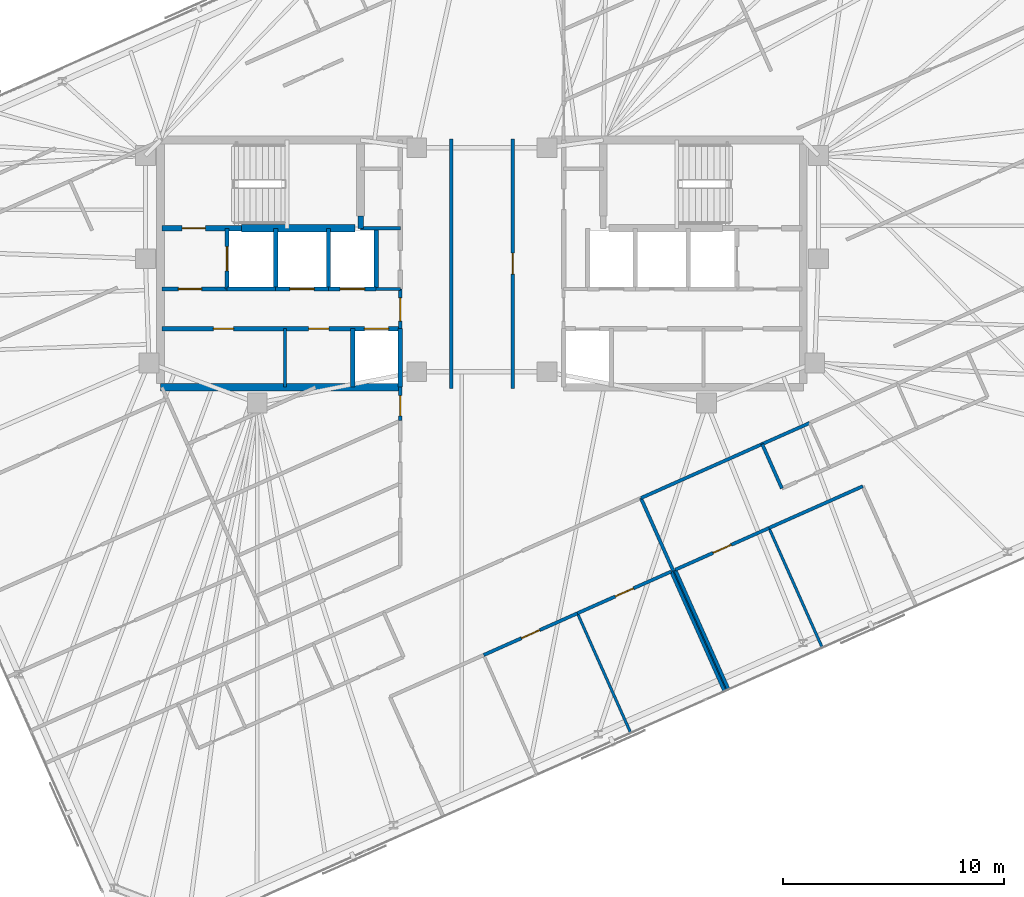
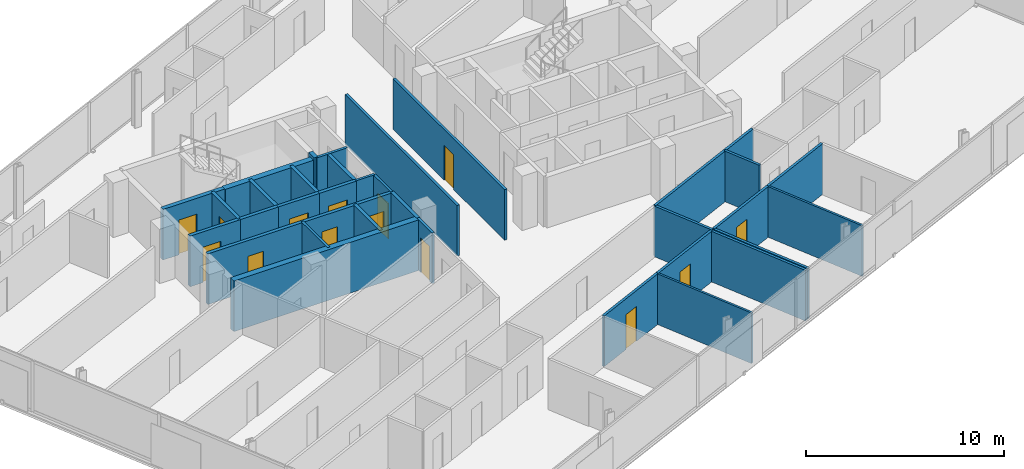
# One storey, part 14 of 19: 34 walls, 14 doors, 14 openings.
"""IFC4 building model written with IfcOpenShell, lengths in metres."""

from ifc_helpers import new_model, si_unit, direction, frame, frame_2d, origin, place, context, subcontext, project, spatial, rectangle, extrude, material, layer, layer_set, type_object, element, fill, save


model = new_model("IFC4")

# Units and contexts
model_context = context("Model", 3, precision=1e-05, world=origin(), true_north=direction((0.0, 1.0)))
body_context = subcontext(model_context, "Body", "Model", "MODEL_VIEW")
ifc_project = project(units=[si_unit("LENGTHUNIT", "METRE"), si_unit("AREAUNIT", "SQUARE_METRE"), si_unit("VOLUMEUNIT", "CUBIC_METRE"), si_unit("PLANEANGLEUNIT", "RADIAN"), si_unit("MASSUNIT", "GRAM", prefix="KILO")], contexts=[model_context])

# Site, building, storey
site_placement = place(None, origin())
site = spatial("IfcSite", under=ifc_project, at=site_placement, CompositionType="ELEMENT")
building_placement = place(site_placement, origin())
building = spatial("IfcBuilding", under=site, at=building_placement, Name="Menara Jurai Vektor", CompositionType="ELEMENT")
storey_placement = place(building_placement, frame((0.0, 0.0, 281.89990234375)))
storey = spatial("IfcBuildingStorey", under=building, at=storey_placement, Name="L75", CompositionType="ELEMENT", Elevation=281.89990234375)

# Wall, opening, door
ifc_material_1 = material(Name="Concrete C40/50", Category="concrete")
ifc_layer_1 = layer(ifc_material_1, 0.25)
ifc_layer_set_1 = layer_set([ifc_layer_1], Name="Concrete C40/50")
wall_type_1 = type_object("IfcWallType", Name="INT-WALL-CORE-250", PredefinedType="STANDARD", material=ifc_layer_set_1)
wall_1_placement = place(storey_placement, frame((-14.5, 1.60009765625, 0.0), z_axis=(0.0, 0.0, 1.0), x_axis=(1.0, 0.0, 0.0)))
wall_1 = element("IfcWall", 1, at=wall_1_placement, inside=storey, type_object=wall_type_1, Name="Interior Wall IW-250 L75", PredefinedType="STANDARD", context=body_context, shape_type="SweptSolid", body=[
    extrude(rectangle(XDim=3.60009765625, YDim=0.25, at=frame_2d((1.800048828125, 0.0))), origin(), (0.0, 0.0, 1.0), 3.125),
])
opening_1_placement = place(wall_1_placement, frame((0.919921875, 0.0, 0.0)))
opening_1 = element("IfcOpeningElement", 2, at=opening_1_placement, cuts=wall_1, Name="Opening D-L75-ST1", PredefinedType="OPENING", context=body_context, shape_type="SweptSolid", body=[
    extrude(rectangle(XDim=1.050048828125, YDim=2.14990234375, at=frame_2d((0.52490234375, 1.074951171875))), frame((0.0, 0.135009765625, 0.0), z_axis=(0.0, -1.0, 0.0), x_axis=(1.0, 0.0, 0.0)), (0.0, 0.0, 1.0), 0.27001953125),
])
ifc_material_2 = material(Name="Fire-Rated Steel Door", Category="steel")
door_type_1 = type_object("IfcDoorType", Name="DR-STAIR-1050", OperationType="NOTDEFINED", PredefinedType="DOOR", material=ifc_material_2)
door_1_placement = place(opening_1_placement, origin())
door_1 = element("IfcDoor", 3, at=door_1_placement, inside=storey, type_object=door_type_1, Name="Exit Stair ST1 Door L75", OperationType="SINGLE_SWING_RIGHT", OverallHeight=2.14990234375, OverallWidth=1.050048828125, PredefinedType="DOOR", context=body_context, shape_type="SweptSolid", body=[
    extrude(rectangle(XDim=1.050048828125, YDim=2.14990234375, at=frame_2d((0.52490234375, 1.074951171875))), frame((0.0, 0.02490234375, 0.0), z_axis=(0.0, -1.0, 0.0), x_axis=(1.0, 0.0, 0.0)), (0.0, 0.0, 1.0), 0.050048828125),
])
fill(opening_1, door_1)

# Wall
wall_2_placement = place(storey_placement, frame((-5.5, 1.60009765625, 0.0), z_axis=(0.0, 0.0, 1.0), x_axis=(0.0, 1.0, 0.0)))
element("IfcWall", 4, at=wall_2_placement, inside=storey, type_object=wall_type_1, Name="Interior Wall IW-250 L75", PredefinedType="STANDARD", context=body_context, shape_type="SweptSolid", body=[
    extrude(rectangle(XDim=0.5498046875, YDim=0.25, at=frame_2d((0.27490234375, 0.0))), origin(), (0.0, 0.0, 1.0), 3.125),
])

# Wall, opening, door
wall_3_placement = place(storey_placement, frame((-11.550048828125, -1.14990234375, 0.0), z_axis=(0.0, 0.0, 1.0), x_axis=(0.0, 1.0, 0.0)))
wall_3 = element("IfcWall", 5, at=wall_3_placement, inside=storey, type_object=wall_type_1, Name="Interior Wall IW-250 L75", PredefinedType="STANDARD", context=body_context, shape_type="SweptSolid", body=[
    extrude(rectangle(XDim=2.75, YDim=0.199951171875, at=frame_2d((1.375, 0.0))), origin(), (0.0, 0.0, 1.0), 3.125),
])
opening_2_placement = place(wall_3_placement, frame((0.824951171875, 0.0, 0.0)))
opening_2 = element("IfcOpeningElement", 6, at=opening_2_placement, cuts=wall_3, Name="Opening LD-L75-FL1", PredefinedType="OPENING", context=body_context, shape_type="SweptSolid", body=[
    extrude(rectangle(XDim=1.10009765625, YDim=2.14990234375, at=frame_2d((0.550048828125, 1.074951171875))), frame((0.0, 0.10986328125, 0.0), z_axis=(0.0, -1.0, 0.0), x_axis=(1.0, 0.0, 0.0)), (0.0, 0.0, 1.0), 0.219970703125),
])
ifc_material_3 = material(Name="Stainless Steel Sliding Lift Landing Door", Category="steel")
door_type_2 = type_object("IfcDoorType", Name="DR-LIFT-FIRE-1100", OperationType="NOTDEFINED", PredefinedType="DOOR", material=ifc_material_3)
door_2_placement = place(opening_2_placement, origin())
door_2 = element("IfcDoor", 7, at=door_2_placement, inside=storey, type_object=door_type_2, Name="Lift Landing Door FL1 L75", OperationType="SLIDING_TO_RIGHT", OverallHeight=2.14990234375, OverallWidth=1.10009765625, PredefinedType="DOOR", context=body_context, shape_type="SweptSolid", body=[
    extrude(rectangle(XDim=1.10009765625, YDim=2.14990234375, at=frame_2d((0.550048828125, 1.074951171875))), frame((0.0, 0.02490234375, 0.0), z_axis=(0.0, -1.0, 0.0), x_axis=(1.0, 0.0, 0.0)), (0.0, 0.0, 1.0), 0.050048828125),
])
fill(opening_2, door_2)

# Wall
wall_4_placement = place(storey_placement, frame((-9.35009765625, -1.14990234375, 0.0), z_axis=(0.0, 0.0, 1.0), x_axis=(0.0, 1.0, 0.0)))
element("IfcWall", 8, at=wall_4_placement, inside=storey, type_object=wall_type_1, Name="Interior Wall IW-250 L75", PredefinedType="STANDARD", context=body_context, shape_type="SweptSolid", body=[
    extrude(rectangle(XDim=2.75, YDim=0.199951171875, at=frame_2d((1.375, 0.0))), origin(), (0.0, 0.0, 1.0), 3.125),
])

# Wall, opening, door
wall_5_placement = place(storey_placement, frame((-14.5, -1.14990234375, 0.0), z_axis=(0.0, 0.0, 1.0), x_axis=(1.0, 0.0, 0.0)))
wall_5 = element("IfcWall", 9, at=wall_5_placement, inside=storey, type_object=wall_type_1, Name="Interior Wall IW-250 L75", PredefinedType="STANDARD", context=body_context, shape_type="SweptSolid", body=[
    extrude(rectangle(XDim=2.949951171875, YDim=0.199951171875, at=frame_2d((1.47509765625, 0.0))), origin(), (0.0, 0.0, 1.0), 3.125),
])
opening_3_placement = place(wall_5_placement, frame((0.75, 0.0, 0.0)))
opening_3 = element("IfcOpeningElement", 10, at=opening_3_placement, cuts=wall_5, Name="Opening D-L75-FFW", PredefinedType="OPENING", context=body_context, shape_type="SweptSolid", body=[
    extrude(rectangle(XDim=1.050048828125, YDim=2.179931640625, at=frame_2d((0.52490234375, 1.08984375))), frame((0.0, 0.10986328125, 0.0), z_axis=(0.0, -1.0, 0.0), x_axis=(1.0, 0.0, 0.0)), (0.0, 0.0, 1.0), 0.219970703125),
])
ifc_material_4 = material(Name="Fire-Rated Timber Door", Category="wood")
door_type_3 = type_object("IfcDoorType", Name="DR-LOBBY-1050", OperationType="NOTDEFINED", PredefinedType="DOOR", material=ifc_material_4)
door_3_placement = place(opening_3_placement, origin())
door_3 = element("IfcDoor", 11, at=door_3_placement, inside=storey, type_object=door_type_3, Name="Fire Lift Lobby Door W L75", OperationType="SINGLE_SWING_RIGHT", OverallHeight=2.179931640625, OverallWidth=1.050048828125, PredefinedType="DOOR", context=body_context, shape_type="SweptSolid", body=[
    extrude(rectangle(XDim=1.050048828125, YDim=2.179931640625, at=frame_2d((0.52490234375, 1.08984375))), frame((0.0, 0.02490234375, 0.0), z_axis=(0.0, -1.0, 0.0), x_axis=(1.0, 0.0, 0.0)), (0.0, 0.0, 1.0), 0.050048828125),
])
fill(opening_3, door_3)

# Wall
wall_6_placement = place(storey_placement, frame((-11.550048828125, -1.14990234375, 0.0), z_axis=(0.0, 0.0, 1.0), x_axis=(1.0, 0.0, 0.0)))
element("IfcWall", 12, at=wall_6_placement, inside=storey, type_object=wall_type_1, Name="Interior Wall IW-250 L75", PredefinedType="STANDARD", context=body_context, shape_type="SweptSolid", body=[
    extrude(rectangle(XDim=2.199951171875, YDim=0.199951171875, at=frame_2d((1.10009765625, 0.0))), origin(), (0.0, 0.0, 1.0), 3.125),
])

# Wall, opening, door
ifc_material_5 = material(Name="Gypsum Fireboard Partition", Category="gypsum")
ifc_layer_2 = layer(ifc_material_5, 0.14990234375)
ifc_layer_set_2 = layer_set([ifc_layer_2], Name="Gypsum Fireboard Partition")
wall_type_2 = type_object("IfcWallType", Name="INT-WALL-CORR-150", PredefinedType="PARTITIONING", material=ifc_layer_set_2)
wall_7_placement = place(storey_placement, frame((-3.699951171875, -2.949951171875, 0.0), z_axis=(0.0, 0.0, 1.0), x_axis=(0.0, 1.0, 0.0)))
wall_7 = element("IfcWall", 13, at=wall_7_placement, inside=storey, type_object=wall_type_2, Name="Interior Wall IW-150 L75", PredefinedType="PARTITIONING", context=body_context, shape_type="SweptSolid", body=[
    extrude(rectangle(XDim=1.800048828125, YDim=0.14990234375, at=frame_2d((0.89990234375, 0.0))), origin(), (0.0, 0.0, 1.0), 3.125),
])
opening_4_placement = place(wall_7_placement, frame((0.35009765625, 0.0, 0.0)))
opening_4 = element("IfcOpeningElement", 14, at=opening_4_placement, cuts=wall_7, Name="Opening D-L75-LLW", PredefinedType="OPENING", context=body_context, shape_type="SweptSolid", body=[
    extrude(rectangle(XDim=1.050048828125, YDim=2.179931640625, at=frame_2d((0.52490234375, 1.08984375))), frame((0.0, 0.0849609375, 0.0), z_axis=(0.0, -1.0, 0.0), x_axis=(1.0, 0.0, 0.0)), (0.0, 0.0, 1.0), 0.169921875),
])
door_4_placement = place(opening_4_placement, origin())
door_4 = element("IfcDoor", 15, at=door_4_placement, inside=storey, type_object=door_type_3, Name="Lift Lobby Corridor Door W L75", OperationType="SINGLE_SWING_LEFT", OverallHeight=2.179931640625, OverallWidth=1.050048828125, PredefinedType="DOOR", context=body_context, shape_type="SweptSolid", body=[
    extrude(rectangle(XDim=1.050048828125, YDim=2.179931640625, at=frame_2d((0.52490234375, 1.08984375))), frame((0.0, 0.02490234375, 0.0), z_axis=(0.0, -1.0, 0.0), x_axis=(1.0, 0.0, 0.0)), (0.0, 0.0, 1.0), 0.050048828125),
])
fill(opening_4, door_4)

# Walls
wall_8_placement = place(storey_placement, frame((-4.7900390625, -1.14990234375, 0.0), z_axis=(0.0, 0.0, 1.0), x_axis=(1.0, 0.0, 0.0)))
element("IfcWall", 16, at=wall_8_placement, inside=storey, type_object=wall_type_2, Name="Interior Wall IW-150 L75", PredefinedType="PARTITIONING", context=body_context, shape_type="SweptSolid", body=[
    extrude(rectangle(XDim=1.090087890625, YDim=0.14990234375, at=frame_2d((0.544921875, 0.0))), origin(), (0.0, 0.0, 1.0), 3.125),
])
wall_9_placement = place(storey_placement, frame((-8.919921875, -5.60009765625, 0.0), z_axis=(0.0, 0.0, 1.0), x_axis=(0.0, 1.0, 0.0)))
element("IfcWall", 17, at=wall_9_placement, inside=storey, type_object=wall_type_2, Name="Interior Wall IW-150 L75", PredefinedType="PARTITIONING", context=body_context, shape_type="SweptSolid", body=[
    extrude(rectangle(XDim=2.650146484375, YDim=0.14990234375, at=frame_2d((1.3251953125, 0.0))), origin(), (0.0, 0.0, 1.0), 3.125),
])
wall_10_placement = place(storey_placement, frame((-5.5, 1.60009765625, 0.0), z_axis=(0.0, 0.0, 1.0), x_axis=(1.0, 0.0, 0.0)))
element("IfcWall", 18, at=wall_10_placement, inside=storey, type_object=wall_type_2, Name="Interior Wall IW-150 L75", PredefinedType="PARTITIONING", context=body_context, shape_type="SweptSolid", body=[
    extrude(rectangle(XDim=1.800048828125, YDim=0.14990234375, at=frame_2d((0.89990234375, 0.0))), origin(), (0.0, 0.0, 1.0), 3.125),
])
wall_11_placement = place(storey_placement, frame((-1.390869140625, -5.64990234375, 0.0), z_axis=(0.0, 0.0, 1.0), x_axis=(-2.1605738e-05, 0.999999999767, 0.0)))
element("IfcWall", 19, at=wall_11_placement, inside=storey, type_object=wall_type_2, Name="Interior Wall IW-150 L75", PredefinedType="PARTITIONING", context=body_context, shape_type="SweptSolid", body=[
    extrude(rectangle(XDim=11.2998046875, YDim=0.14990234375, at=frame_2d((5.64990234375, 0.0))), origin(), (0.0, 0.0, 1.0), 3.125),
])

# Wall, opening, door
wall_12_placement = place(storey_placement, frame((1.390869140625, -5.650390625, 0.0), z_axis=(0.0, 0.0, 1.0), x_axis=(4.3206809e-05, 0.999999999067, 0.0)))
wall_12 = element("IfcWall", 20, at=wall_12_placement, inside=storey, type_object=wall_type_2, Name="Interior Wall IW-150 L75", PredefinedType="PARTITIONING", context=body_context, shape_type="SweptSolid", body=[
    extrude(rectangle(XDim=11.301025390625, YDim=0.14990234375, at=frame_2d((5.650390625, 0.0))), origin(), (0.0, 0.0, 1.0), 3.125),
])
opening_5_placement = place(wall_12_placement, frame((5.175537109375, 0.0, 0.0)))
opening_5 = element("IfcOpeningElement", 21, at=opening_5_placement, cuts=wall_12, Name="Opening D75-08", PredefinedType="OPENING", context=body_context, shape_type="SweptSolid", body=[
    extrude(rectangle(XDim=0.949951171875, YDim=2.14990234375, at=frame_2d((0.47509765625, 1.074951171875))), frame((0.0, 0.0849609375, 0.0), z_axis=(0.0, -1.0, 0.0), x_axis=(1.0, 0.0, 0.0)), (0.0, 0.0, 1.0), 0.169921875),
])
ifc_material_6 = material(Name="Solid Core Timber Fire Door", Category="wood")
door_type_4 = type_object("IfcDoorType", Name="DR-ENTRY-950", OperationType="NOTDEFINED", PredefinedType="DOOR", material=ifc_material_6)
door_5_placement = place(opening_5_placement, origin())
door_5 = element("IfcDoor", 22, at=door_5_placement, inside=storey, type_object=door_type_4, Name="Interior Door D75-08", OperationType="SINGLE_SWING_LEFT", OverallHeight=2.14990234375, OverallWidth=0.949951171875, PredefinedType="DOOR", context=body_context, shape_type="SweptSolid", body=[
    extrude(rectangle(XDim=0.949951171875, YDim=2.14990234375, at=frame_2d((0.47509765625, 1.074951171875))), frame((0.0, 0.02490234375, 0.0), z_axis=(0.0, -1.0, 0.0), x_axis=(1.0, 0.0, 0.0)), (0.0, 0.0, 1.0), 0.050048828125),
])
fill(opening_5, door_5)

# Walls
wall_13_placement = place(storey_placement, frame((7.20361328125, -10.6220703125, 0.0), z_axis=(0.0, 0.0, 1.0), x_axis=(0.913545172627, 0.406737283231, 0.0)))
element("IfcWall", 23, at=wall_13_placement, inside=storey, type_object=wall_type_2, Name="Interior Wall IW-150 L75", PredefinedType="PARTITIONING", context=body_context, shape_type="SweptSolid", body=[
    extrude(rectangle(XDim=6.013916015625, YDim=0.14990234375, at=frame_2d((3.0068359375, 0.0))), origin(), (0.0, 0.0, 1.0), 3.125),
])
wall_14_placement = place(storey_placement, frame((12.697509765625, -8.176025390625, 0.0), z_axis=(0.0, 0.0, 1.0), x_axis=(0.913558622212, 0.406707073682, 0.0)))
element("IfcWall", 24, at=wall_14_placement, inside=storey, type_object=wall_type_2, Name="Interior Wall IW-150 L75", PredefinedType="PARTITIONING", context=body_context, shape_type="SweptSolid", body=[
    extrude(rectangle(XDim=2.35009765625, YDim=0.14990234375, at=frame_2d((1.175048828125, 0.0))), origin(), (0.0, 0.0, 1.0), 3.125),
])

# Wall, opening, door
wall_15_placement = place(storey_placement, frame((-3.700439453125, -7.1181640625, 0.0), z_axis=(0.0, 0.0, 1.0), x_axis=(0.000321543392, 0.999999948305, 0.0)))
wall_15 = element("IfcWall", 25, at=wall_15_placement, inside=storey, type_object=wall_type_2, Name="Interior Wall IW-150 L75", PredefinedType="PARTITIONING", context=body_context, shape_type="SweptSolid", body=[
    extrude(rectangle(XDim=1.5185546875, YDim=0.14990234375, at=frame_2d((0.75927734375, 0.0))), origin(), (0.0, 0.0, 1.0), 3.125),
])
opening_6_placement = place(wall_15_placement, frame((0.219970703125, 0.0, 0.0)))
opening_6 = element("IfcOpeningElement", 26, at=opening_6_placement, cuts=wall_15, Name="Opening D75-35", PredefinedType="OPENING", context=body_context, shape_type="SweptSolid", body=[
    extrude(rectangle(XDim=0.919921875, YDim=2.14990234375, at=frame_2d((0.4599609375, 1.074951171875))), frame((0.0, 0.0849609375, 0.0), z_axis=(0.0, -1.0, 0.0), x_axis=(1.0, 0.0, 0.0)), (0.0, 0.0, 1.0), 0.169921875),
])
door_6_placement = place(opening_6_placement, origin())
door_6 = element("IfcDoor", 27, at=door_6_placement, inside=storey, type_object=door_type_4, Name="Interior Door D75-35", OperationType="SINGLE_SWING_RIGHT", OverallHeight=2.14990234375, OverallWidth=0.919921875, PredefinedType="DOOR", context=body_context, shape_type="SweptSolid", body=[
    extrude(rectangle(XDim=0.919921875, YDim=2.14990234375, at=frame_2d((0.4599609375, 1.074951171875))), frame((0.0, 0.02490234375, 0.0), z_axis=(0.0, -1.0, 0.0), x_axis=(1.0, 0.0, 0.0)), (0.0, 0.0, 1.0), 0.050048828125),
])
fill(opening_6, door_6)

wall_16_placement = place(storey_placement, frame((0.080322265625, -17.734130859375, 0.0), z_axis=(0.0, 0.0, 1.0), x_axis=(0.91354505039, 0.40673755778, 0.0)))
wall_16 = element("IfcWall", 28, at=wall_16_placement, inside=storey, type_object=wall_type_2, Name="Interior Wall IW-150 L75", PredefinedType="PARTITIONING", context=body_context, shape_type="SweptSolid", body=[
    extrude(rectangle(XDim=4.650146484375, YDim=0.14990234375, at=frame_2d((2.3251953125, 0.0))), origin(), (0.0, 0.0, 1.0), 3.125),
])
opening_7_placement = place(wall_16_placement, frame((1.875, 0.0, 0.0)))
opening_7 = element("IfcOpeningElement", 29, at=opening_7_placement, cuts=wall_16, Name="Opening D75-17", PredefinedType="OPENING", context=body_context, shape_type="SweptSolid", body=[
    extrude(rectangle(XDim=0.89990234375, YDim=2.14990234375, at=frame_2d((0.449951171875, 1.074951171875))), frame((0.0, 0.0849609375, 0.0), z_axis=(0.0, -1.0, 0.0), x_axis=(1.0, 0.0, 0.0)), (0.0, 0.0, 1.0), 0.169921875),
])
ifc_material_7 = material(Name="Acoustic Timber Interior Door", Category="wood")
door_type_5 = type_object("IfcDoorType", Name="DR-ROOM-900", OperationType="NOTDEFINED", PredefinedType="DOOR", material=ifc_material_7)
door_7_placement = place(opening_7_placement, origin())
door_7 = element("IfcDoor", 30, at=door_7_placement, inside=storey, type_object=door_type_5, Name="Interior Door D75-17", OperationType="SINGLE_SWING_RIGHT", OverallHeight=2.14990234375, OverallWidth=0.89990234375, PredefinedType="DOOR", context=body_context, shape_type="SweptSolid", body=[
    extrude(rectangle(XDim=0.89990234375, YDim=2.14990234375, at=frame_2d((0.449951171875, 1.074951171875))), frame((0.0, 0.02490234375, 0.0), z_axis=(0.0, -1.0, 0.0), x_axis=(1.0, 0.0, 0.0)), (0.0, 0.0, 1.0), 0.050048828125),
])
fill(opening_7, door_7)

wall_17_placement = place(storey_placement, frame((4.328369140625, -15.8427734375, 0.0), z_axis=(0.0, 0.0, 1.0), x_axis=(0.91354505039, 0.40673755778, 0.0)))
wall_17 = element("IfcWall", 31, at=wall_17_placement, inside=storey, type_object=wall_type_2, Name="Interior Wall IW-150 L75", PredefinedType="PARTITIONING", context=body_context, shape_type="SweptSolid", body=[
    extrude(rectangle(XDim=4.650146484375, YDim=0.14990234375, at=frame_2d((2.3251953125, 0.0))), origin(), (0.0, 0.0, 1.0), 3.125),
])
opening_8_placement = place(wall_17_placement, frame((1.875, 0.0, 0.0)))
opening_8 = element("IfcOpeningElement", 32, at=opening_8_placement, cuts=wall_17, Name="Opening D75-18", PredefinedType="OPENING", context=body_context, shape_type="SweptSolid", body=[
    extrude(rectangle(XDim=0.89990234375, YDim=2.14990234375, at=frame_2d((0.449951171875, 1.074951171875))), frame((0.0, 0.0849609375, 0.0), z_axis=(0.0, -1.0, 0.0), x_axis=(1.0, 0.0, 0.0)), (0.0, 0.0, 1.0), 0.169921875),
])
door_8_placement = place(opening_8_placement, origin())
door_8 = element("IfcDoor", 33, at=door_8_placement, inside=storey, type_object=door_type_5, Name="Interior Door D75-18", OperationType="SINGLE_SWING_LEFT", OverallHeight=2.14990234375, OverallWidth=0.89990234375, PredefinedType="DOOR", context=body_context, shape_type="SweptSolid", body=[
    extrude(rectangle(XDim=0.89990234375, YDim=2.14990234375, at=frame_2d((0.449951171875, 1.074951171875))), frame((0.0, 0.02490234375, 0.0), z_axis=(0.0, -1.0, 0.0), x_axis=(1.0, 0.0, 0.0)), (0.0, 0.0, 1.0), 0.050048828125),
])
fill(opening_8, door_8)

# Walls
wall_18_placement = place(storey_placement, frame((10.990478515625, -19.373291015625, 0.0), z_axis=(0.0, 0.0, 1.0), x_axis=(-0.406749048544, 0.913539934271, 0.0)))
element("IfcWall", 34, at=wall_18_placement, inside=storey, type_object=wall_type_2, Name="Interior Wall IW-150 L75", PredefinedType="PARTITIONING", context=body_context, shape_type="SweptSolid", body=[
    extrude(rectangle(XDim=5.93505859375, YDim=0.14990234375, at=frame_2d((2.967529296875, 0.0))), origin(), (0.0, 0.0, 1.0), 3.125),
])
wall_19_placement = place(storey_placement, frame((11.081787109375, -19.332763671875, 0.0), z_axis=(0.0, 0.0, 1.0), x_axis=(-0.406729927653, 0.913548447512, 0.0)))
element("IfcWall", 35, at=wall_19_placement, inside=storey, type_object=wall_type_2, Name="Interior Wall IW-150 L75", PredefinedType="PARTITIONING", context=body_context, shape_type="SweptSolid", body=[
    extrude(rectangle(XDim=9.534912109375, YDim=0.14990234375, at=frame_2d((4.767578125, 0.0))), origin(), (0.0, 0.0, 1.0), 3.125),
])
wall_20_placement = place(storey_placement, frame((13.59228515625, -10.185791015625, 0.0), z_axis=(0.0, 0.0, 1.0), x_axis=(-0.406725294076, 0.913550510459, 0.0)))
element("IfcWall", 36, at=wall_20_placement, inside=storey, type_object=wall_type_2, Name="Interior Wall IW-150 L75", PredefinedType="PARTITIONING", context=body_context, shape_type="SweptSolid", body=[
    extrude(rectangle(XDim=2.199951171875, YDim=0.14990234375, at=frame_2d((1.10009765625, 0.0))), origin(), (0.0, 0.0, 1.0), 3.125),
])
wall_21_placement = place(storey_placement, frame((11.173095703125, -19.2919921875, 0.0), z_axis=(0.0, 0.0, 1.0), x_axis=(-0.406749048544, 0.913539934271, 0.0)))
element("IfcWall", 37, at=wall_21_placement, inside=storey, type_object=wall_type_2, Name="Interior Wall IW-150 L75", PredefinedType="PARTITIONING", context=body_context, shape_type="SweptSolid", body=[
    extrude(rectangle(XDim=5.93505859375, YDim=0.14990234375, at=frame_2d((2.967529296875, 0.0))), origin(), (0.0, 0.0, 1.0), 3.125),
])

# Wall, opening, door
wall_22_placement = place(storey_placement, frame((8.759033203125, -13.8701171875, 0.0), z_axis=(0.0, 0.0, 1.0), x_axis=(0.91354505039, 0.40673755778, 0.0)))
wall_22 = element("IfcWall", 38, at=wall_22_placement, inside=storey, type_object=wall_type_2, Name="Interior Wall IW-150 L75", PredefinedType="PARTITIONING", context=body_context, shape_type="SweptSolid", body=[
    extrude(rectangle(XDim=4.650146484375, YDim=0.14990234375, at=frame_2d((2.3251953125, 0.0))), origin(), (0.0, 0.0, 1.0), 3.125),
])
opening_9_placement = place(wall_22_placement, frame((1.875, 0.0, 0.0)))
opening_9 = element("IfcOpeningElement", 39, at=opening_9_placement, cuts=wall_22, Name="Opening D75-23", PredefinedType="OPENING", context=body_context, shape_type="SweptSolid", body=[
    extrude(rectangle(XDim=0.89990234375, YDim=2.14990234375, at=frame_2d((0.449951171875, 1.074951171875))), frame((0.0, 0.0849609375, 0.0), z_axis=(0.0, -1.0, 0.0), x_axis=(1.0, 0.0, 0.0)), (0.0, 0.0, 1.0), 0.169921875),
])
door_9_placement = place(opening_9_placement, origin())
door_9 = element("IfcDoor", 40, at=door_9_placement, inside=storey, type_object=door_type_5, Name="Interior Door D75-23", OperationType="SINGLE_SWING_RIGHT", OverallHeight=2.14990234375, OverallWidth=0.89990234375, PredefinedType="DOOR", context=body_context, shape_type="SweptSolid", body=[
    extrude(rectangle(XDim=0.89990234375, YDim=2.14990234375, at=frame_2d((0.449951171875, 1.074951171875))), frame((0.0, 0.02490234375, 0.0), z_axis=(0.0, -1.0, 0.0), x_axis=(1.0, 0.0, 0.0)), (0.0, 0.0, 1.0), 0.050048828125),
])
fill(opening_9, door_9)

# Walls
wall_23_placement = place(storey_placement, frame((13.007080078125, -11.978759765625, 0.0), z_axis=(0.0, 0.0, 1.0), x_axis=(0.91354505039, 0.40673755778, 0.0)))
element("IfcWall", 41, at=wall_23_placement, inside=storey, type_object=wall_type_2, Name="Interior Wall IW-150 L75", PredefinedType="PARTITIONING", context=body_context, shape_type="SweptSolid", body=[
    extrude(rectangle(XDim=4.650146484375, YDim=0.14990234375, at=frame_2d((2.3251953125, 0.0))), origin(), (0.0, 0.0, 1.0), 3.125),
])
ifc_material_8 = material(Name="Gypsum Acoustic Stud Partition", Category="gypsum")
ifc_layer_3 = layer(ifc_material_8, 0.1201171875)
ifc_layer_set_3 = layer_set([ifc_layer_3], Name="Gypsum Acoustic Stud Partition")
wall_type_3 = type_object("IfcWallType", Name="INT-WALL-PART-120", PredefinedType="PARTITIONING", material=ifc_layer_set_3)
for number, where, z_axis, x_axis, name in (
    (42, (6.742431640625, -21.2646484375, 0.0), (0.0, 0.0, 1.0), (-0.406749048544, 0.913539934271, 0.0), "Interior Wall IW-120 L75"),
    (43, (15.421142578125, -17.400634765625, 0.0), (0.0, 0.0, 1.0), (-0.406749048544, 0.913539934271, 0.0), "Interior Wall IW-120 L75"),
):
    element("IfcWall", number, at=place(storey_placement, frame(where, z_axis=z_axis, x_axis=x_axis)), inside=storey, type_object=wall_type_3, Name=name, PredefinedType="PARTITIONING", context=body_context, shape_type="SweptSolid", body=[
        extrude(rectangle(XDim=5.93505859375, YDim=0.1201171875, at=frame_2d((2.967529296875, 0.0))), origin(), (0.0, 0.0, 1.0), 3.125),
    ])
ifc_layer_4 = layer(ifc_material_1, 0.199951171875)
ifc_layer_set_4 = layer_set([ifc_layer_4], Name="Concrete C40/50")
wall_type_4 = type_object("IfcWallType", Name="INT-WALL-SHAFT-200", PredefinedType="STANDARD", material=ifc_layer_set_4)
wall_24_placement = place(storey_placement, frame((-3.699951171875, -5.60009765625, 0.0), z_axis=(0.0, 0.0, 1.0), x_axis=(0.0, 1.0, 0.0)))
element("IfcWall", 44, at=wall_24_placement, inside=storey, type_object=wall_type_4, Name="Interior Wall IW-200 L75", PredefinedType="STANDARD", context=body_context, shape_type="SweptSolid", body=[
    extrude(rectangle(XDim=2.650146484375, YDim=0.199951171875, at=frame_2d((1.3251953125, 0.0))), origin(), (0.0, 0.0, 1.0), 3.125),
])
wall_25_placement = place(storey_placement, frame((-6.949951171875, -1.14990234375, 0.0), z_axis=(0.0, 0.0, 1.0), x_axis=(0.0, 1.0, 0.0)))
element("IfcWall", 45, at=wall_25_placement, inside=storey, type_object=wall_type_4, Name="Interior Wall IW-200 L75", PredefinedType="STANDARD", context=body_context, shape_type="SweptSolid", body=[
    extrude(rectangle(XDim=2.75, YDim=0.199951171875, at=frame_2d((1.375, 0.0))), origin(), (0.0, 0.0, 1.0), 3.125),
])

# Wall, opening, door
wall_26_placement = place(storey_placement, frame((-9.35009765625, -1.14990234375, 0.0), z_axis=(0.0, 0.0, 1.0), x_axis=(1.0, 0.0, 0.0)))
wall_26 = element("IfcWall", 46, at=wall_26_placement, inside=storey, type_object=wall_type_4, Name="Interior Wall IW-200 L75", PredefinedType="STANDARD", context=body_context, shape_type="SweptSolid", body=[
    extrude(rectangle(XDim=2.400146484375, YDim=0.199951171875, at=frame_2d((1.2001953125, 0.0))), origin(), (0.0, 0.0, 1.0), 3.125),
])
opening_10_placement = place(wall_26_placement, frame((0.64990234375, 0.0, 0.0)))
opening_10 = element("IfcOpeningElement", 47, at=opening_10_placement, cuts=wall_26, Name="Opening LD-L75-SVL1", PredefinedType="OPENING", context=body_context, shape_type="SweptSolid", body=[
    extrude(rectangle(XDim=1.10009765625, YDim=2.14990234375, at=frame_2d((0.550048828125, 1.074951171875))), frame((0.0, 0.10986328125, 0.0), z_axis=(0.0, -1.0, 0.0), x_axis=(1.0, 0.0, 0.0)), (0.0, 0.0, 1.0), 0.219970703125),
])
ifc_material_9 = material(Name="Anodised Stainless Sliding Lift Landing Door", Category="steel")
door_type_6 = type_object("IfcDoorType", Name="DR-LIFT-PASS-1100", OperationType="NOTDEFINED", PredefinedType="DOOR", material=ifc_material_9)
door_10_placement = place(opening_10_placement, origin())
door_10 = element("IfcDoor", 48, at=door_10_placement, inside=storey, type_object=door_type_6, Name="Lift Landing Door SVL1 L75", OperationType="SLIDING_TO_RIGHT", OverallHeight=2.14990234375, OverallWidth=1.10009765625, PredefinedType="DOOR", context=body_context, shape_type="SweptSolid", body=[
    extrude(rectangle(XDim=1.10009765625, YDim=2.14990234375, at=frame_2d((0.550048828125, 1.074951171875))), frame((0.0, 0.02490234375, 0.0), z_axis=(0.0, -1.0, 0.0), x_axis=(1.0, 0.0, 0.0)), (0.0, 0.0, 1.0), 0.050048828125),
])
fill(opening_10, door_10)

# Wall
wall_27_placement = place(storey_placement, frame((-4.7900390625, -1.14990234375, 0.0), z_axis=(0.0, 0.0, 1.0), x_axis=(0.0, 1.0, 0.0)))
element("IfcWall", 49, at=wall_27_placement, inside=storey, type_object=wall_type_4, Name="Interior Wall IW-200 L75", PredefinedType="STANDARD", context=body_context, shape_type="SweptSolid", body=[
    extrude(rectangle(XDim=2.75, YDim=0.199951171875, at=frame_2d((1.375, 0.0))), origin(), (0.0, 0.0, 1.0), 3.125),
])

# Wall, opening, door
wall_28_placement = place(storey_placement, frame((-6.949951171875, -1.14990234375, 0.0), z_axis=(0.0, 0.0, 1.0), x_axis=(1.0, 0.0, 0.0)))
wall_28 = element("IfcWall", 50, at=wall_28_placement, inside=storey, type_object=wall_type_4, Name="Interior Wall IW-200 L75", PredefinedType="STANDARD", context=body_context, shape_type="SweptSolid", body=[
    extrude(rectangle(XDim=2.159912109375, YDim=0.199951171875, at=frame_2d((1.080078125, 0.0))), origin(), (0.0, 0.0, 1.0), 3.125),
])
opening_11_placement = place(wall_28_placement, frame((0.530029296875, 0.0, 0.0)))
opening_11 = element("IfcOpeningElement", 51, at=opening_11_placement, cuts=wall_28, Name="Opening LD-L75-PH2", PredefinedType="OPENING", context=body_context, shape_type="SweptSolid", body=[
    extrude(rectangle(XDim=1.10009765625, YDim=2.14990234375, at=frame_2d((0.550048828125, 1.074951171875))), frame((0.0, 0.10986328125, 0.0), z_axis=(0.0, -1.0, 0.0), x_axis=(1.0, 0.0, 0.0)), (0.0, 0.0, 1.0), 0.219970703125),
])
door_11_placement = place(opening_11_placement, origin())
door_11 = element("IfcDoor", 52, at=door_11_placement, inside=storey, type_object=door_type_6, Name="Lift Landing Door PH2 L75", OperationType="SLIDING_TO_RIGHT", OverallHeight=2.14990234375, OverallWidth=1.10009765625, PredefinedType="DOOR", context=body_context, shape_type="SweptSolid", body=[
    extrude(rectangle(XDim=1.10009765625, YDim=2.14990234375, at=frame_2d((0.550048828125, 1.074951171875))), frame((0.0, 0.02490234375, 0.0), z_axis=(0.0, -1.0, 0.0), x_axis=(1.0, 0.0, 0.0)), (0.0, 0.0, 1.0), 0.050048828125),
])
fill(opening_11, door_11)

# Wall, openings, doors
wall_29_placement = place(storey_placement, frame((-14.5, -2.949951171875, 0.0), z_axis=(0.0, 0.0, 1.0), x_axis=(1.0, 0.0, 0.0)))
wall_29 = element("IfcWall", 53, at=wall_29_placement, inside=storey, type_object=wall_type_4, Name="Interior Wall IW-200 L75", PredefinedType="STANDARD", context=body_context, shape_type="SweptSolid", body=[
    extrude(rectangle(XDim=10.800048828125, YDim=0.199951171875, at=frame_2d((5.39990234375, 0.0))), origin(), (0.0, 0.0, 1.0), 3.125),
])
opening_12_placement = place(wall_29_placement, frame((9.169921875, 0.0, 0.0)))
opening_12 = element("IfcOpeningElement", 54, at=opening_12_placement, cuts=wall_29, Name="Opening LD-L75-PH1", PredefinedType="OPENING", context=body_context, shape_type="SweptSolid", body=[
    extrude(rectangle(XDim=1.10009765625, YDim=2.14990234375, at=frame_2d((0.550048828125, 1.074951171875))), frame((0.0, 0.10986328125, 0.0), z_axis=(0.0, -1.0, 0.0), x_axis=(1.0, 0.0, 0.0)), (0.0, 0.0, 1.0), 0.219970703125),
])
opening_13_placement = place(wall_29_placement, frame((2.330078125, 0.0, 0.0)))
opening_13 = element("IfcOpeningElement", 55, at=opening_13_placement, cuts=wall_29, Name="Opening D75-01", PredefinedType="OPENING", context=body_context, shape_type="SweptSolid", body=[
    extrude(rectangle(XDim=0.919921875, YDim=2.14990234375, at=frame_2d((0.4599609375, 1.074951171875))), frame((0.0, 0.10986328125, 0.0), z_axis=(0.0, -1.0, 0.0), x_axis=(1.0, 0.0, 0.0)), (0.0, 0.0, 1.0), 0.219970703125),
])
opening_14_placement = place(wall_29_placement, frame((6.64990234375, 0.0, 0.0)))
opening_14 = element("IfcOpeningElement", 56, at=opening_14_placement, cuts=wall_29, Name="Opening D75-02", PredefinedType="OPENING", context=body_context, shape_type="SweptSolid", body=[
    extrude(rectangle(XDim=0.919921875, YDim=2.14990234375, at=frame_2d((0.4599609375, 1.074951171875))), frame((0.0, 0.10986328125, 0.0), z_axis=(0.0, -1.0, 0.0), x_axis=(1.0, 0.0, 0.0)), (0.0, 0.0, 1.0), 0.219970703125),
])
door_12_placement = place(opening_13_placement, origin())
door_12 = element("IfcDoor", 57, at=door_12_placement, inside=storey, type_object=door_type_4, Name="Interior Door D75-01", OperationType="SINGLE_SWING_LEFT", OverallHeight=2.14990234375, OverallWidth=0.919921875, PredefinedType="DOOR", context=body_context, shape_type="SweptSolid", body=[
    extrude(rectangle(XDim=0.919921875, YDim=2.14990234375, at=frame_2d((0.4599609375, 1.074951171875))), frame((0.0, 0.02490234375, 0.0), z_axis=(0.0, -1.0, 0.0), x_axis=(1.0, 0.0, 0.0)), (0.0, 0.0, 1.0), 0.050048828125),
])
fill(opening_13, door_12)
door_13_placement = place(opening_14_placement, origin())
door_13 = element("IfcDoor", 58, at=door_13_placement, inside=storey, type_object=door_type_4, Name="Interior Door D75-02", OperationType="SINGLE_SWING_RIGHT", OverallHeight=2.14990234375, OverallWidth=0.919921875, PredefinedType="DOOR", context=body_context, shape_type="SweptSolid", body=[
    extrude(rectangle(XDim=0.919921875, YDim=2.14990234375, at=frame_2d((0.4599609375, 1.074951171875))), frame((0.0, 0.02490234375, 0.0), z_axis=(0.0, -1.0, 0.0), x_axis=(1.0, 0.0, 0.0)), (0.0, 0.0, 1.0), 0.050048828125),
])
fill(opening_14, door_13)
door_14_placement = place(opening_12_placement, origin())
door_14 = element("IfcDoor", 59, at=door_14_placement, inside=storey, type_object=door_type_6, Name="Lift Landing Door PH1 L75", OperationType="SLIDING_TO_RIGHT", OverallHeight=2.14990234375, OverallWidth=1.10009765625, PredefinedType="DOOR", context=body_context, shape_type="SweptSolid", body=[
    extrude(rectangle(XDim=1.10009765625, YDim=2.14990234375, at=frame_2d((0.550048828125, 1.074951171875))), frame((0.0, 0.02490234375, 0.0), z_axis=(0.0, -1.0, 0.0), x_axis=(1.0, 0.0, 0.0)), (0.0, 0.0, 1.0), 0.050048828125),
])
fill(opening_12, door_14)

# Walls
wall_30_placement = place(storey_placement, frame((-5.860107421875, -5.60009765625, 0.0), z_axis=(0.0, 0.0, 1.0), x_axis=(0.0, 1.0, 0.0)))
element("IfcWall", 60, at=wall_30_placement, inside=storey, type_object=wall_type_4, Name="Interior Wall IW-200 L75", PredefinedType="STANDARD", context=body_context, shape_type="SweptSolid", body=[
    extrude(rectangle(XDim=2.650146484375, YDim=0.199951171875, at=frame_2d((1.3251953125, 0.0))), origin(), (0.0, 0.0, 1.0), 3.125),
])
ifc_material_10 = material(Name="Concrete C50/60", Category="concrete")
ifc_layer_5 = layer(ifc_material_10, 0.35009765625)
ifc_layer_set_5 = layer_set([ifc_layer_5], Name="Concrete C50/60")
wall_type_5 = type_object("IfcWallType", Name="STR-WALL-CORE350", PredefinedType="SHEAR", material=ifc_layer_set_5)
wall_31_placement = place(storey_placement, frame((-14.56005859375, -5.60009765625, 0.0), z_axis=(0.0, 0.0, 1.0), x_axis=(1.0, 0.0, 0.0)))
element("IfcWall", 61, at=wall_31_placement, inside=storey, type_object=wall_type_5, Name="Core Shear Wall CW-W-S L75", PredefinedType="SHEAR", context=body_context, shape_type="SweptSolid", body=[
    extrude(rectangle(XDim=10.860107421875, YDim=0.35009765625, at=frame_2d((5.43017578125, 0.0))), origin(), (0.0, 0.0, 1.0), 3.125),
])
wall_32_placement = place(storey_placement, frame((-10.89990234375, 1.60009765625, 0.0), z_axis=(0.0, 0.0, 1.0), x_axis=(1.0, 0.0, 0.0)))
element("IfcWall", 62, at=wall_32_placement, inside=storey, type_object=wall_type_5, Name="Core Shear Wall CW-W-STS L75", PredefinedType="SHEAR", context=body_context, shape_type="SweptSolid", body=[
    extrude(rectangle(XDim=5.14990234375, YDim=0.35009765625, at=frame_2d((2.574951171875, 0.0))), origin(), (0.0, 0.0, 1.0), 3.125),
])

save(model, "model.ifc")
